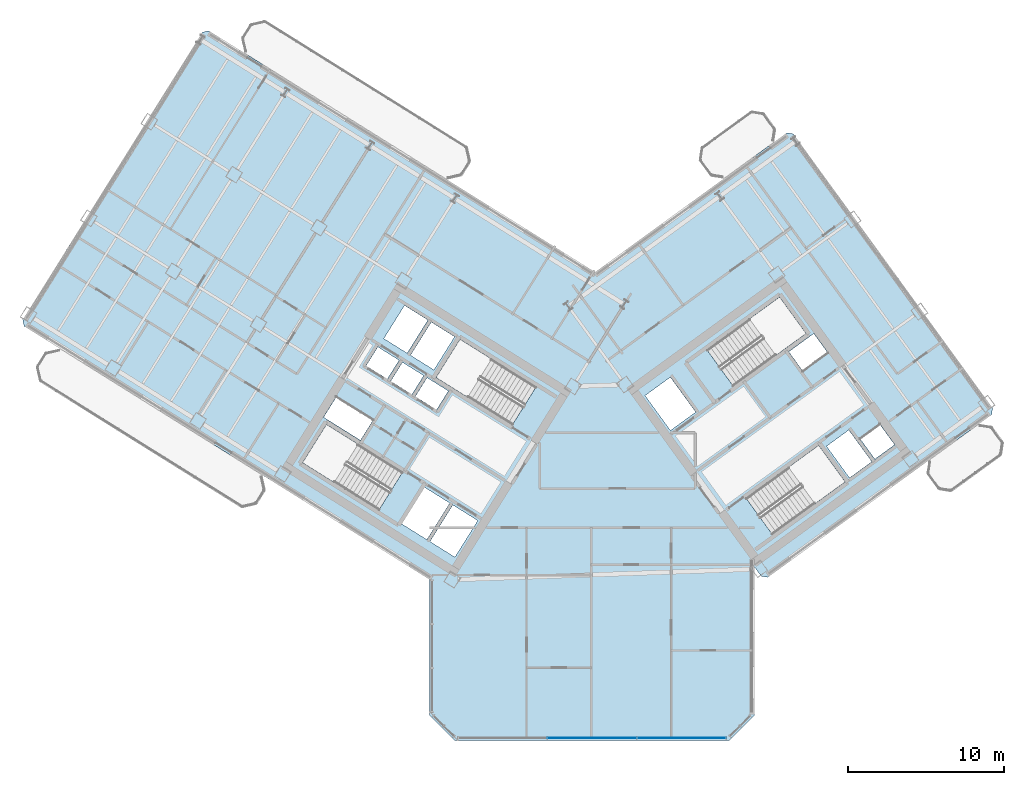
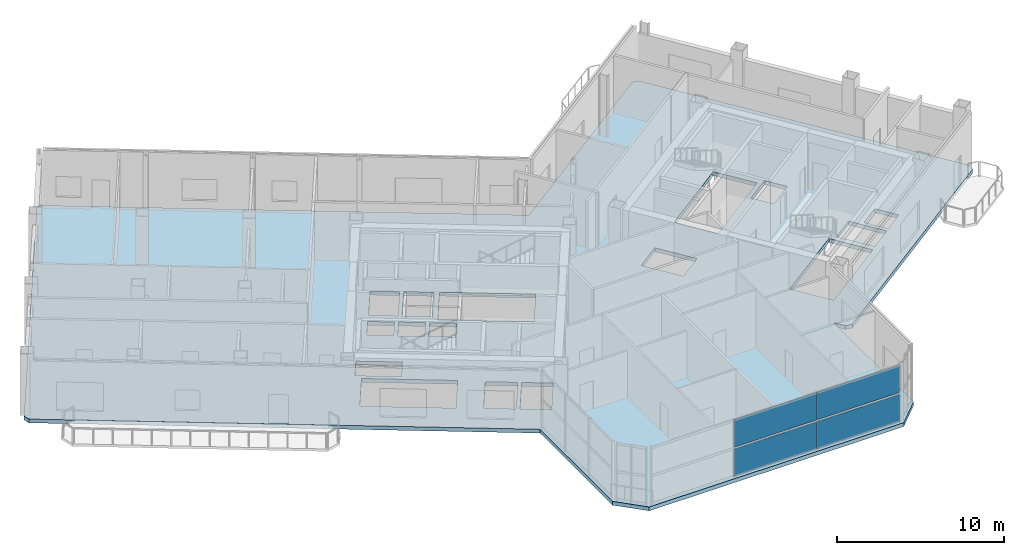
# One storey, part 9 of 21: 4 plates, 1 slab, 1 element without a shape of its own.
"""IFC4 building model written with IfcOpenShell, lengths in metres."""

from ifc_helpers import new_model, si_unit, direction, frame, origin, origin_2d, place, context, subcontext, project, spatial, polyline, rectangle, outline, extrude, source, transform, mapped, material, layer, layer_set, type_object, element, aggregate, save


model = new_model("IFC4")

# Units and contexts
model_context = context("Model", 3, precision=1e-05, world=origin(), true_north=direction((0.0, 1.0)))
body_context = subcontext(model_context, "Body", "Model", "MODEL_VIEW")
ifc_project = project(units=[si_unit("LENGTHUNIT", "METRE"), si_unit("AREAUNIT", "SQUARE_METRE"), si_unit("VOLUMEUNIT", "CUBIC_METRE"), si_unit("PLANEANGLEUNIT", "RADIAN"), si_unit("MASSUNIT", "GRAM", prefix="KILO")], contexts=[model_context])

# Site, building, storey
site_placement = place(None, origin())
site = spatial("IfcSite", under=ifc_project, at=site_placement, CompositionType="ELEMENT")
building_placement = place(site_placement, origin())
building = spatial("IfcBuilding", under=site, at=building_placement, Name="Tlacorven Tower", CompositionType="ELEMENT")
storey_placement = place(building_placement, frame((0.0, 0.0, 199.5)))
storey = spatial("IfcBuildingStorey", under=building, at=storey_placement, Name="L50", CompositionType="ELEMENT", Elevation=199.5)

# Slab
ifc_material_1 = material(Name="Concrete C50/60", Category="concrete")
ifc_layer_1 = layer(ifc_material_1, 0.280029296875)
ifc_layer_set_1 = layer_set([ifc_layer_1], Name="Concrete C50/60")
slab_type = type_object("IfcSlabType", Name="SL-WND-280", PredefinedType="FLOOR", material=ifc_layer_set_1)
slab_placement = place(storey_placement, frame((0.0, 0.0, -0.280029296875)))
element("IfcSlab", 1, at=slab_placement, inside=storey, type_object=slab_type, Name="L50 Boomerang Tower Floor Slab", PredefinedType="FLOOR", context=body_context, shape_type="SweptSolid", body=[
    extrude(outline(polyline([(52.39990234375, 3.39990234375), (50.800048828125, 1.800048828125), (33.199951171875, 1.800048828125), (31.60009765625, 3.39990234375), (31.60009765625, 12.09423828125), (5.62451171875, 28.32568359375), (5.529052734375, 28.739013671875), (17.0390625, 47.15869140625), (17.452392578125, 47.254150390625), (42.19970703125, 31.790283203125), (54.481689453125, 40.713623046875), (54.90087890625, 40.647216796875), (67.66748046875, 23.075439453125), (67.60107421875, 22.656494140625), (53.265380859375, 12.24072265625), (52.846435546875, 12.30712890625), (52.39990234375, 12.921630859375), (52.39990234375, 3.39990234375)]), holes=[polyline([(29.865478515625, 18.979736328125), (24.9892578125, 22.02685546875), (23.463134765625, 19.58447265625), (28.33935546875, 16.537353515625), (29.865478515625, 18.979736328125)]), polyline([(38.4169921875, 24.4375), (33.540771484375, 27.484375), (32.0146484375, 25.0419921875), (36.890869140625, 21.9951171875), (38.4169921875, 24.4375)]), polyline([(51.05908203125, 24.481689453125), (55.7109375, 27.861572265625), (54.01806640625, 30.19140625), (49.3662109375, 26.811767578125), (51.05908203125, 24.481689453125)]), polyline([(53.56298828125, 14.978759765625), (58.21484375, 18.3583984375), (56.52197265625, 20.6884765625), (51.8701171875, 17.30859375), (53.56298828125, 14.978759765625)]), polyline([(34.682373046875, 15.87548828125), (33.088134765625, 16.871826171875), (31.62548828125, 14.531005859375), (33.2197265625, 13.534912109375), (34.682373046875, 15.87548828125)]), polyline([(32.884521484375, 16.9990234375), (31.2392578125, 18.02685546875), (29.77685546875, 15.686279296875), (31.421875, 14.658203125), (32.884521484375, 16.9990234375)]), polyline([(47.0234375, 21.648681640625), (48.6416015625, 22.82421875), (47.019287109375, 25.05712890625), (45.401123046875, 23.881591796875), (47.0234375, 21.648681640625)]), polyline([(33.197265625, 27.65185546875), (31.704833984375, 28.58447265625), (30.3798828125, 26.46435546875), (31.87255859375, 25.53173828125), (33.197265625, 27.65185546875)]), polyline([(31.484375, 28.722412109375), (29.99169921875, 29.655029296875), (28.6669921875, 27.534912109375), (30.159423828125, 26.602294921875), (31.484375, 28.722412109375)]), polyline([(32.794921875, 24.17724609375), (31.43798828125, 25.025146484375), (30.685546875, 23.82080078125), (32.042236328125, 22.972900390625), (32.794921875, 24.17724609375)]), polyline([(31.217529296875, 25.162841796875), (29.860595703125, 26.0107421875), (29.108154296875, 24.806396484375), (30.465087890625, 23.958740234375), (31.217529296875, 25.162841796875)]), polyline([(29.64013671875, 26.1484375), (28.283203125, 26.996337890625), (27.53076171875, 25.792236328125), (28.8876953125, 24.9443359375), (29.64013671875, 26.1484375)]), polyline([(58.498779296875, 18.614013671875), (59.922607421875, 19.648681640625), (58.453125, 21.671142578125), (57.029296875, 20.63671875), (58.498779296875, 18.614013671875)]), polyline([(27.96142578125, 22.2919921875), (25.603759765625, 23.76513671875), (24.80908203125, 22.4931640625), (27.16650390625, 21.02001953125), (27.96142578125, 22.2919921875)]), polyline([(55.490478515625, 25.4765625), (57.092529296875, 26.640380859375), (56.210693359375, 27.85400390625), (54.60888671875, 26.690185546875), (55.490478515625, 25.4765625)]), polyline([(60.12109375, 19.817626953125), (61.38330078125, 20.734619140625), (60.45458984375, 22.012939453125), (59.192626953125, 21.095947265625), (60.12109375, 19.817626953125)])]), origin(), (0.0, 0.0, 1.0), 0.280029296875),
])

# Curtain wall, plates
ifc_material_2 = material(Name="Dark solar low-E double glazing in aluminium frame", Category="aluminium")
curtain_wall_type = type_object("IfcCurtainWallType", Name="CW-COM-AMENITY", PredefinedType="USERDEFINED", material=ifc_material_2)
curtain_wall_placement = place(storey_placement, origin())
curtain_wall = element("IfcCurtainWall", 2, at=curtain_wall_placement, inside=storey, type_object=curtain_wall_type, Name="L50 CW-COM-AMENITY Curtain Wall 229", ObjectType="UNITISED CURTAIN WALL", PredefinedType="USERDEFINED")
ifc_material_3 = material(Name="Dark solar acoustic laminated low-E glazing", Category="glass")
ifc_layer_2 = layer(ifc_material_3, 0.035888671875)
ifc_layer_set_2 = layer_set([ifc_layer_2], Name="Dark solar acoustic laminated low-E glazing")
plate_type = type_object("IfcPlateType", Name="CWP-01", PredefinedType="CURTAIN_PANEL", material=ifc_layer_set_2)
shared_shape_1 = source(origin(), body_context, "Body", "SweptSolid", [
    extrude(rectangle(XDim=5.668701171875, YDim=0.035888671875, at=origin_2d()), origin(), (0.0, 0.0, 1.0), 1.98291015625),
])
plate_1_placement = place(storey_placement, frame((47.73828125, 1.9599609375, 0.071044921875), z_axis=(0.0, 0.0, 1.0), x_axis=(-1.0, 0.0, 0.0)))
plate_1 = element("IfcPlate", 3, at=plate_1_placement, type_object=plate_type, Name="CW-L50-229 Glazing Panel 1", PredefinedType="CURTAIN_PANEL", context=body_context, shape_type="MappedRepresentation", body=[
    mapped(shared_shape_1, transform((0.0, 0.0, 0.0), scale=1.0)),
])
plate_2_placement = place(storey_placement, frame((47.73828125, 1.9599609375, 2.196044921875), z_axis=(0.0, 0.0, 1.0), x_axis=(-1.0, 0.0, 0.0)))
plate_2 = element("IfcPlate", 4, at=plate_2_placement, type_object=plate_type, Name="CW-L50-229 Glazing Panel 2", PredefinedType="CURTAIN_PANEL", context=body_context, shape_type="MappedRepresentation", body=[
    mapped(shared_shape_1, transform((0.0, 0.0, 0.0), scale=1.0)),
])
shared_shape_2 = source(origin(), body_context, "Body", "SweptSolid", [
    extrude(rectangle(XDim=5.703857421875, YDim=0.035888671875, at=origin_2d()), origin(), (0.0, 0.0, 1.0), 1.98291015625),
])
plate_3_placement = place(storey_placement, frame((42.0, 1.9599609375, 0.071044921875), z_axis=(0.0, 0.0, 1.0), x_axis=(-1.0, 0.0, 0.0)))
plate_3 = element("IfcPlate", 5, at=plate_3_placement, type_object=plate_type, Name="CW-L50-229 Glazing Panel 3", PredefinedType="CURTAIN_PANEL", context=body_context, shape_type="MappedRepresentation", body=[
    mapped(shared_shape_2, transform((0.0, 0.0, 0.0), scale=1.0)),
])
plate_4_placement = place(storey_placement, frame((42.0, 1.9599609375, 2.196044921875), z_axis=(0.0, 0.0, 1.0), x_axis=(-1.0, 0.0, 0.0)))
plate_4 = element("IfcPlate", 6, at=plate_4_placement, type_object=plate_type, Name="CW-L50-229 Glazing Panel 4", PredefinedType="CURTAIN_PANEL", context=body_context, shape_type="MappedRepresentation", body=[
    mapped(shared_shape_2, transform((0.0, 0.0, 0.0), scale=1.0)),
])
aggregate(curtain_wall, [plate_1, plate_2, plate_3, plate_4])

save(model, "model.ifc")
